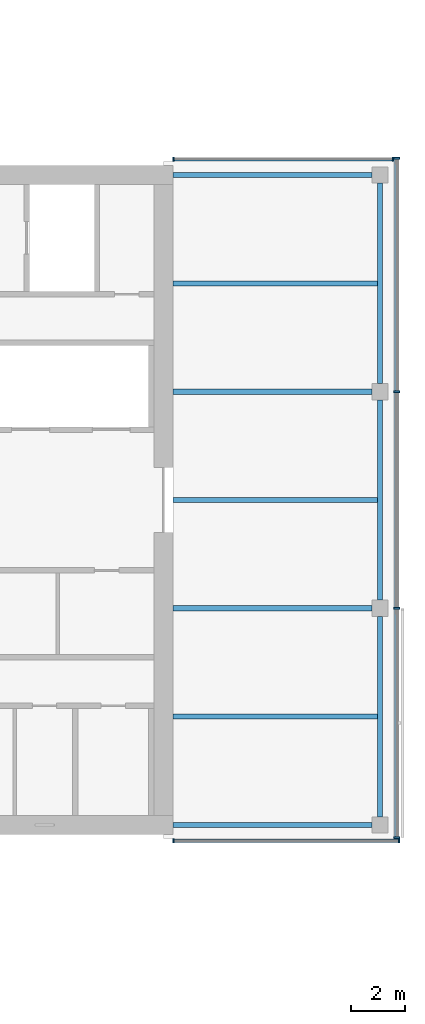
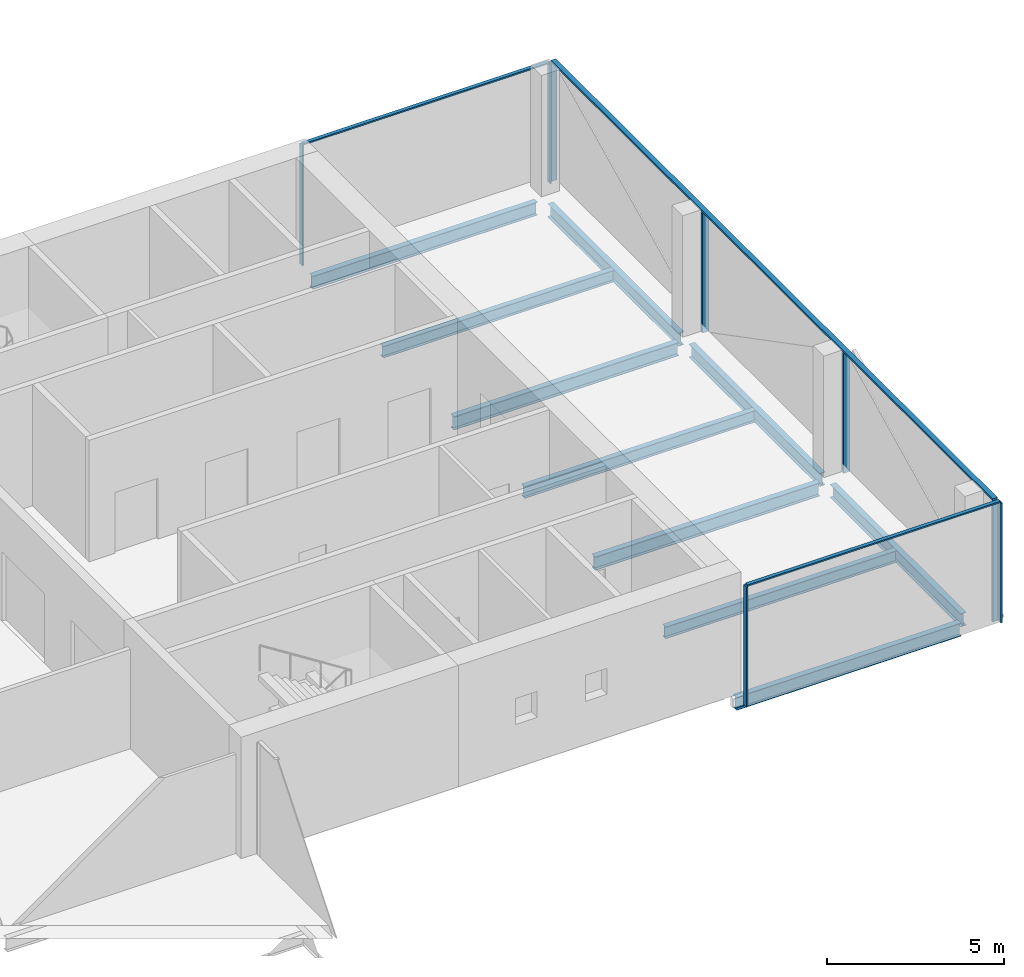
# One storey, part 11 of 22: 11 members, 10 beams, 3 elements without a shape of their own.
"""IFC4 building model written with IfcOpenShell, lengths in metres."""

from ifc_helpers import new_model, si_unit, direction, frame, origin, origin_2d, place, context, subcontext, project, spatial, rectangle, i_section, extrude, material, material_profile, profile_set, type_object, element, aggregate, save


model = new_model("IFC4")

# Units and contexts
model_context = context("Model", 3, precision=1e-05, world=origin(), true_north=direction((0.0, 1.0)))
body_context = subcontext(model_context, "Body", "Model", "MODEL_VIEW")
ifc_project = project(units=[si_unit("LENGTHUNIT", "METRE"), si_unit("AREAUNIT", "SQUARE_METRE"), si_unit("VOLUMEUNIT", "CUBIC_METRE"), si_unit("PLANEANGLEUNIT", "RADIAN"), si_unit("MASSUNIT", "GRAM", prefix="KILO")], contexts=[model_context])

# Site, building, storey
site_placement = place(None, origin())
site = spatial("IfcSite", under=ifc_project, at=site_placement, CompositionType="ELEMENT")
building_placement = place(site_placement, origin())
building = spatial("IfcBuilding", under=site, at=building_placement, Name="Crosswind Convention Tower", CompositionType="ELEMENT")
storey_placement = place(building_placement, frame((0.0, 0.0, 121.10009765625)))
storey = spatial("IfcBuildingStorey", under=building, at=storey_placement, Name="L24", CompositionType="ELEMENT", Elevation=121.10009765625)

# Beams
ifc_material_1 = material(Name="Steel S355", Category="steel")
ifc_material_profile_1 = material_profile(ifc_material_1, i_section(OverallWidth=0.18994140625, OverallDepth=0.45361328125, WebThickness=0.008544921875, FlangeThickness=0.0126953125, FilletRadius=0.01025390625, at=origin_2d()), Name="UB 457x191x67")
ifc_profile_set_1 = profile_set([ifc_material_profile_1], Name="Steel S355")
beam_type_1 = type_object("IfcBeamType", Name="Edge beam UB 457x191x67", PredefinedType="SPANDREL", material=ifc_profile_set_1)
for number, where, z_axis, x_axis, name in (
    (1, (153.35009765625, 88.0, -0.52685546875), (1.0, 0.0, 0.0), (0.0, 1.0, 0.0), "B16 L24 edge beam 20"),
    (2, (153.35009765625, 112.0, -0.52685546875), (1.0, 0.0, 0.0), (0.0, 1.0, 0.0), "B16 L24 edge beam 21"),
):
    element("IfcBeam", number, at=place(storey_placement, frame(where, z_axis=z_axis, x_axis=x_axis)), inside=storey, type_object=beam_type_1, Name=name, PredefinedType="SPANDREL", context=body_context, shape_type="SweptSolid", body=[
        extrude(i_section(OverallWidth=0.18994140625, OverallDepth=0.45361328125, WebThickness=0.008544921875, FlangeThickness=0.0126953125, FilletRadius=0.01025390625, at=origin_2d()), origin(), (0.0, 0.0, 1.0), 7.349853515625),
    ])
for number, where, z_axis, x_axis, name in (
    (3, (161.0, 88.300048828125, -0.52685546875), (0.0, 1.0, 0.0), (-1.0, 0.0, 0.0), "B16 L24 edge beam 22"),
    (4, (161.0, 96.300048828125, -0.52685546875), (0.0, 1.0, 0.0), (-1.0, 0.0, 0.0), "B16 L24 edge beam 23"),
    (5, (161.0, 104.300048828125, -0.52685546875), (0.0, 1.0, 0.0), (-1.0, 0.0, 0.0), "B16 L24 edge beam 24"),
):
    element("IfcBeam", number, at=place(storey_placement, frame(where, z_axis=z_axis, x_axis=x_axis)), inside=storey, type_object=beam_type_1, Name=name, PredefinedType="SPANDREL", context=body_context, shape_type="SweptSolid", body=[
        extrude(i_section(OverallWidth=0.18994140625, OverallDepth=0.45361328125, WebThickness=0.008544921875, FlangeThickness=0.0126953125, FilletRadius=0.01025390625, at=origin_2d()), origin(), (0.0, 0.0, 1.0), 7.39990234375),
    ])
ifc_material_profile_2 = material_profile(ifc_material_1, i_section(OverallWidth=0.19189453125, OverallDepth=0.463623046875, WebThickness=0.010498046875, FlangeThickness=0.017578125, FilletRadius=0.01025390625, at=origin_2d()), Name="UB 457x191x90")
ifc_profile_set_2 = profile_set([ifc_material_profile_2], Name="Steel S355")
beam_type_2 = type_object("IfcBeamType", Name="Girder at core wall UB 457x191x90", PredefinedType="BEAM", material=ifc_profile_set_2)
for number, where, z_axis, x_axis, name in (
    (6, (153.35009765625, 96.0, -0.531982421875), (1.0, 0.0, 0.0), (0.0, 1.0, 0.0), "B24 L24 girder at core wall 11"),
    (7, (153.35009765625, 104.0, -0.531982421875), (1.0, 0.0, 0.0), (0.0, 1.0, 0.0), "B24 L24 girder at core wall 12"),
):
    element("IfcBeam", number, at=place(storey_placement, frame(where, z_axis=z_axis, x_axis=x_axis)), inside=storey, type_object=beam_type_2, Name=name, PredefinedType="BEAM", context=body_context, shape_type="SweptSolid", body=[
        extrude(i_section(OverallWidth=0.19189453125, OverallDepth=0.463623046875, WebThickness=0.010498046875, FlangeThickness=0.017578125, FilletRadius=0.01025390625, at=origin_2d()), origin(), (0.0, 0.0, 1.0), 7.349853515625),
    ])

# Curtain wall, members
ifc_material_2 = material(Name="Aluminium unitised curtain wall", Category="aluminium")
curtain_wall_type_1 = type_object("IfcCurtainWallType", Name="CORE END SLOT WALL 160", PredefinedType="USERDEFINED", material=ifc_material_2)
curtain_wall_1_placement = place(storey_placement, origin())
curtain_wall_1 = element("IfcCurtainWall", 8, at=curtain_wall_1_placement, inside=storey, type_object=curtain_wall_type_1, Name="CW6 L24 E-N.1-1 slot", ObjectType="UNITISED", PredefinedType="USERDEFINED")
ifc_material_3 = material(Name="Aluminium mullion", Category="aluminium")
ifc_material_profile_3 = material_profile(ifc_material_3, rectangle(XDim=0.159912109375, YDim=0.050048828125, at=origin_2d()), Name="AL 160X50")
ifc_profile_set_3 = profile_set([ifc_material_profile_3], Name="Aluminium mullion")
member_type_1 = type_object("IfcMemberType", Name="MULLION 50X160", PredefinedType="MULLION", material=ifc_profile_set_3)
member_1_placement = place(storey_placement, frame((161.47509765625, 112.580078125, -0.300048828125), z_axis=(0.0, 0.0, 1.0), x_axis=(0.0, 1.0, 0.0)))
member_1 = element("IfcMember", 9, at=member_1_placement, type_object=member_type_1, Name="CW6 mullion 1", PredefinedType="MULLION", context=body_context, shape_type="SweptSolid", body=[
    extrude(rectangle(XDim=0.159912109375, YDim=0.050048828125, at=origin_2d()), origin(), (0.0, 0.0, 1.0), 4.14990234375),
])
member_2_placement = place(storey_placement, frame((153.375, 112.580078125, -0.300048828125), z_axis=(0.0, 0.0, 1.0), x_axis=(0.0, 1.0, 0.0)))
member_2 = element("IfcMember", 10, at=member_2_placement, type_object=member_type_1, Name="CW6 mullion 2", PredefinedType="MULLION", context=body_context, shape_type="SweptSolid", body=[
    extrude(rectangle(XDim=0.159912109375, YDim=0.050048828125, at=origin_2d()), origin(), (0.0, 0.0, 1.0), 4.14990234375),
])

curtain_wall_2_placement = place(storey_placement, origin())
curtain_wall_2 = element("IfcCurtainWall", 11, at=curtain_wall_2_placement, inside=storey, type_object=curtain_wall_type_1, Name="CW6 L24 E-S.2-1 slot", ObjectType="UNITISED", PredefinedType="USERDEFINED")
member_3_placement = place(storey_placement, frame((153.375, 87.419921875, -0.300048828125), z_axis=(0.0, 0.0, 1.0), x_axis=(0.0, -1.0, 0.0)))
member_3 = element("IfcMember", 12, at=member_3_placement, type_object=member_type_1, Name="CW6 mullion 1", PredefinedType="MULLION", context=body_context, shape_type="SweptSolid", body=[
    extrude(rectangle(XDim=0.159912109375, YDim=0.050048828125, at=origin_2d()), origin(), (0.0, 0.0, 1.0), 4.14990234375),
])
member_4_placement = place(storey_placement, frame((161.695068359375, 87.419921875, -0.300048828125), z_axis=(0.0, 0.0, 1.0), x_axis=(0.0, -1.0, 0.0)))
member_4 = element("IfcMember", 13, at=member_4_placement, type_object=member_type_1, Name="CW6 mullion 2", PredefinedType="MULLION", context=body_context, shape_type="SweptSolid", body=[
    extrude(rectangle(XDim=0.159912109375, YDim=0.050048828125, at=origin_2d()), origin(), (0.0, 0.0, 1.0), 4.14990234375),
])

curtain_wall_type_2 = type_object("IfcCurtainWallType", Name="OFFICE UNITISED WALL 220", PredefinedType="USERDEFINED", material=ifc_material_2)
curtain_wall_3_placement = place(storey_placement, origin())
curtain_wall_3 = element("IfcCurtainWall", 14, at=curtain_wall_3_placement, inside=storey, type_object=curtain_wall_type_2, Name="CW3 L24 E-TIP 1", ObjectType="UNITISED", PredefinedType="USERDEFINED")
ifc_material_profile_4 = material_profile(ifc_material_3, rectangle(XDim=0.219970703125, YDim=0.070068359375, at=origin_2d()), Name="AL 220X70")
ifc_profile_set_4 = profile_set([ifc_material_profile_4], Name="Aluminium mullion")
member_type_2 = type_object("IfcMemberType", Name="MULLION 70X220", PredefinedType="MULLION", material=ifc_profile_set_4)
member_5_placement = place(storey_placement, frame((161.610107421875, 87.534912109375, -0.300048828125), z_axis=(0.0, 0.0, 1.0), x_axis=(1.0, 0.0, 0.0)))
member_5 = element("IfcMember", 15, at=member_5_placement, type_object=member_type_2, Name="CW3 mullion 1", PredefinedType="MULLION", context=body_context, shape_type="SweptSolid", body=[
    extrude(rectangle(XDim=0.219970703125, YDim=0.070068359375, at=origin_2d()), origin(), (0.0, 0.0, 1.0), 4.1298828125),
])
member_6_placement = place(storey_placement, frame((161.610107421875, 96.0, -0.300048828125), z_axis=(0.0, 0.0, 1.0), x_axis=(1.0, 0.0, 0.0)))
member_6 = element("IfcMember", 16, at=member_6_placement, type_object=member_type_2, Name="CW3 mullion 2", PredefinedType="MULLION", context=body_context, shape_type="SweptSolid", body=[
    extrude(rectangle(XDim=0.219970703125, YDim=0.070068359375, at=origin_2d()), origin(), (0.0, 0.0, 1.0), 4.1298828125),
])
member_7_placement = place(storey_placement, frame((161.610107421875, 104.0, -0.300048828125), z_axis=(0.0, 0.0, 1.0), x_axis=(1.0, 0.0, 0.0)))
member_7 = element("IfcMember", 17, at=member_7_placement, type_object=member_type_2, Name="CW3 mullion 3", PredefinedType="MULLION", context=body_context, shape_type="SweptSolid", body=[
    extrude(rectangle(XDim=0.219970703125, YDim=0.070068359375, at=origin_2d()), origin(), (0.0, 0.0, 1.0), 4.1298828125),
])
member_8_placement = place(storey_placement, frame((161.610107421875, 112.625, -0.300048828125), z_axis=(0.0, 0.0, 1.0), x_axis=(1.0, 0.0, 0.0)))
member_8 = element("IfcMember", 18, at=member_8_placement, type_object=member_type_2, Name="CW3 mullion 4", PredefinedType="MULLION", context=body_context, shape_type="SweptSolid", body=[
    extrude(rectangle(XDim=0.219970703125, YDim=0.070068359375, at=origin_2d()), origin(), (0.0, 0.0, 1.0), 4.1298828125),
])

# Beams
ifc_material_profile_5 = material_profile(ifc_material_1, i_section(OverallWidth=0.177734375, OverallDepth=0.406494140625, WebThickness=0.0078125, FlangeThickness=0.0126953125, FilletRadius=0.01025390625, at=origin_2d()), Name="UB 406x178x60")
ifc_profile_set_5 = profile_set([ifc_material_profile_5], Name="Steel S355")
beam_type_3 = type_object("IfcBeamType", Name="Secondary beam UB 406x178x60", PredefinedType="JOIST", material=ifc_profile_set_5)
for number, where, z_axis, x_axis, name in (
    (19, (153.35009765625, 92.0, -0.50341796875), (1.0, 0.0, 0.0), (0.0, 1.0, 0.0), "B10 L24 secondary beam 25"),
    (20, (153.35009765625, 100.0, -0.50341796875), (1.0, 0.0, 0.0), (0.0, 1.0, 0.0), "B10 L24 secondary beam 26"),
    (21, (153.35009765625, 108.0, -0.50341796875), (1.0, 0.0, 0.0), (0.0, 1.0, 0.0), "B10 L24 secondary beam 27"),
):
    element("IfcBeam", number, at=place(storey_placement, frame(where, z_axis=z_axis, x_axis=x_axis)), inside=storey, type_object=beam_type_3, Name=name, PredefinedType="JOIST", context=body_context, shape_type="SweptSolid", body=[
        extrude(i_section(OverallWidth=0.177734375, OverallDepth=0.406494140625, WebThickness=0.0078125, FlangeThickness=0.0126953125, FilletRadius=0.01025390625, at=origin_2d()), origin(), (0.0, 0.0, 1.0), 7.554931640625),
    ])

# Member
ifc_material_4 = material(Name="Aluminium transom", Category="aluminium")
ifc_material_profile_6 = material_profile(ifc_material_4, rectangle(XDim=0.1201171875, YDim=0.050048828125, at=origin_2d()), Name="AL 120X50")
ifc_profile_set_6 = profile_set([ifc_material_profile_6], Name="Aluminium transom")
member_type_3 = type_object("IfcMemberType", Name="TRANSOM 50X120", PredefinedType="USERDEFINED", material=ifc_profile_set_6)
member_9_placement = place(storey_placement, frame((161.449951171875, 112.580078125, 3.875), z_axis=(-1.0, 0.0, 0.0), x_axis=(0.0, -1.0, 0.0)))
member_9 = element("IfcMember", 22, at=member_9_placement, type_object=member_type_3, Name="CW6 transom", ObjectType="TRANSOM", PredefinedType="USERDEFINED", context=body_context, shape_type="SweptSolid", body=[
    extrude(rectangle(XDim=0.1201171875, YDim=0.050048828125, at=origin_2d()), origin(), (0.0, 0.0, 1.0), 8.050048828125),
])

aggregate(curtain_wall_1, [member_1, member_2, member_9])

member_10_placement = place(storey_placement, frame((153.39990234375, 87.419921875, 3.875), z_axis=(1.0, 0.0, 0.0), x_axis=(0.0, 1.0, 0.0)))
member_10 = element("IfcMember", 23, at=member_10_placement, type_object=member_type_3, Name="CW6 transom", ObjectType="TRANSOM", PredefinedType="USERDEFINED", context=body_context, shape_type="SweptSolid", body=[
    extrude(rectangle(XDim=0.1201171875, YDim=0.050048828125, at=origin_2d()), origin(), (0.0, 0.0, 1.0), 8.27001953125),
])

aggregate(curtain_wall_2, [member_3, member_4, member_10])

ifc_material_profile_7 = material_profile(ifc_material_4, rectangle(XDim=0.159912109375, YDim=0.070068359375, at=origin_2d()), Name="AL 160X70")
ifc_profile_set_7 = profile_set([ifc_material_profile_7], Name="Aluminium transom")
member_type_4 = type_object("IfcMemberType", Name="TRANSOM 70X160", PredefinedType="USERDEFINED", material=ifc_profile_set_7)
member_11_placement = place(storey_placement, frame((161.610107421875, 87.570068359375, 3.864990234375), z_axis=(0.0, 1.0, 0.0), x_axis=(-1.0, 0.0, 0.0)))
member_11 = element("IfcMember", 24, at=member_11_placement, type_object=member_type_4, Name="CW3 transom", ObjectType="TRANSOM", PredefinedType="USERDEFINED", context=body_context, shape_type="SweptSolid", body=[
    extrude(rectangle(XDim=0.159912109375, YDim=0.070068359375, at=origin_2d()), origin(), (0.0, 0.0, 1.0), 25.02001953125),
])

aggregate(curtain_wall_3, [member_5, member_6, member_7, member_8, member_11])

save(model, "model.ifc")
